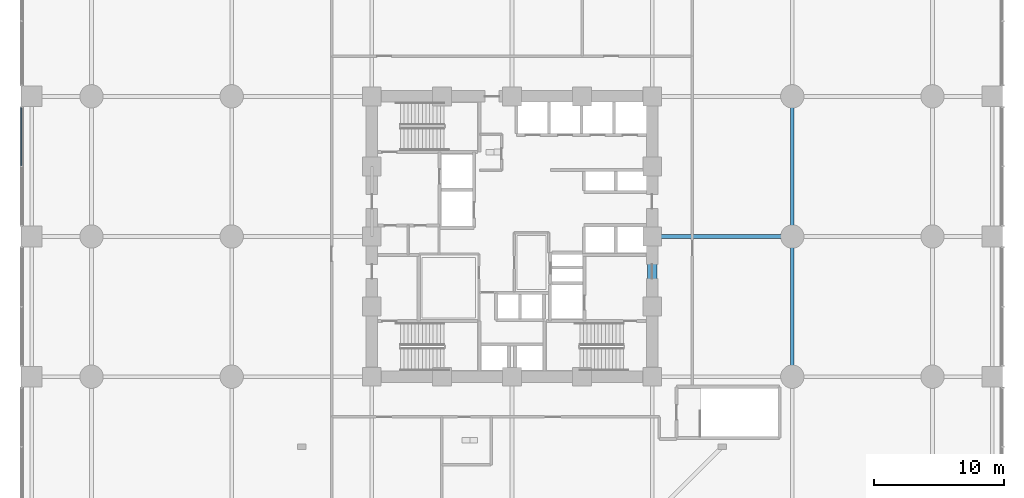
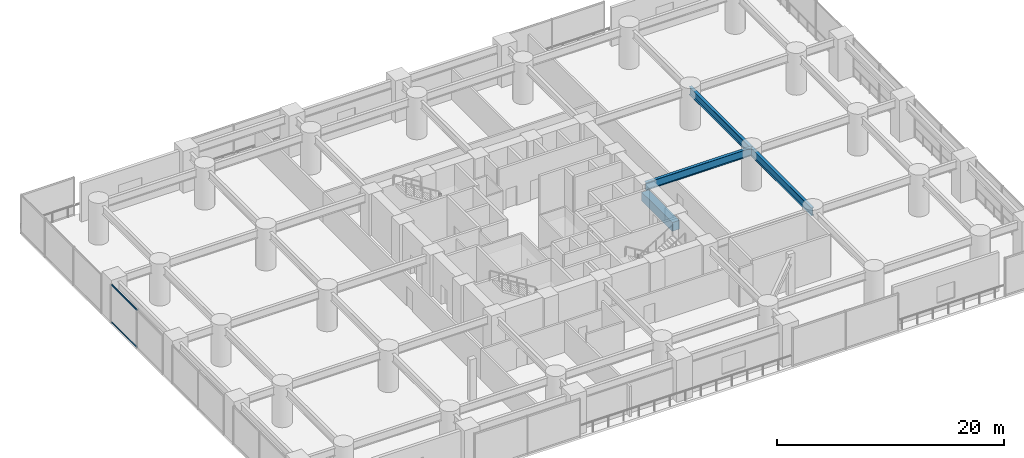
# One storey, part 10 of 35: 4 beams, 2 members, 1 element without a shape of its own.
"""IFC4 building model written with IfcOpenShell, lengths in metres."""

import ifcopenshell
import ifcopenshell.guid

model = None  # the IFC model being written
_history = None  # IfcOwnerHistory: only IFC2X3 demands one
_inside = {}  # id of a spatial element -> (the spatial element, [elements in it])
_under = {}  # id of a project, library or spatial element -> (it, [spatial elements below it])
_declared = {}  # id of a project -> (the project, [libraries it declares])
_typed = {}  # id of a type object -> (the type object, [elements of that type])
_made_of = {}  # id of a material, layer set ... -> (it, [elements and type objects made of it])


def new_model(schema):
    """Start an empty IFC model of exactly this schema.

    Asked for "IFC4X3", IfcOpenShell would pick the latest addendum, in which some entities
    have other attributes; the version numbers below select the first issue.
    IFC2X3 requires an IfcOwnerHistory on every rooted entity: one is made here for all.
    """
    global model, _history
    if schema == "IFC4X3":
        model = ifcopenshell.file(schema_version=(4, 3, 0, 0))
    else:
        model = ifcopenshell.file(schema=schema)
    _inside.clear()
    _under.clear()
    _declared.clear()
    _typed.clear()
    _made_of.clear()
    _history = None
    if model.schema == "IFC2X3":
        org = make("IfcOrganization", Name="unknown")
        user = make(
            "IfcPersonAndOrganization",
            ThePerson=make("IfcPerson", FamilyName="unknown"),
            TheOrganization=org,
        )
        app = make(
            "IfcApplication",
            ApplicationDeveloper=org,
            Version="unknown",
            ApplicationFullName="unknown",
            ApplicationIdentifier="unknown",
        )
        _history = make(
            "IfcOwnerHistory",
            OwningUser=user,
            OwningApplication=app,
            ChangeAction="ADDED",
            CreationDate=0,
        )
    return model


def make(cls, **values):
    """One entity of the class cls with the attributes given. An attribute that is None is left unset."""
    return model.create_entity(
        cls, **{name: value for name, value in values.items() if value is not None}
    )


def rooted(cls, **values):
    """An entity with a GlobalId (a new one), such as an element, a storey or a relation."""
    return make(cls, GlobalId=ifcopenshell.guid.new(), OwnerHistory=_history, **values)


def si_unit(unit_type, name, prefix=None):
    """IfcSIUnit, for example si_unit("LENGTHUNIT", "METRE", prefix="MILLI")."""
    return make("IfcSIUnit", UnitType=unit_type, Prefix=prefix, Name=name)


def assignment(units):
    """IfcUnitAssignment: the units of a project."""
    return None if units is None else make("IfcUnitAssignment", Units=units)


def point(xyz):
    """IfcCartesianPoint."""
    return None if xyz is None else make("IfcCartesianPoint", Coordinates=xyz)


def direction(xyz):
    """IfcDirection."""
    return None if xyz is None else make("IfcDirection", DirectionRatios=xyz)


def frame(location, z_axis=None, x_axis=None):
    """IfcAxis2Placement3D, a coordinate frame: its origin and axes. An axis left out is left unset."""
    return make(
        "IfcAxis2Placement3D",
        Location=point(location),
        Axis=direction(z_axis),
        RefDirection=direction(x_axis),
    )


def frame_2d(location, x_axis=None):
    """IfcAxis2Placement2D, a coordinate frame in the plane: its origin and x axis."""
    return make(
        "IfcAxis2Placement2D", Location=point(location), RefDirection=direction(x_axis)
    )


def origin():
    """The frame at (0, 0, 0) with its axes left unset."""
    return frame((0.0, 0.0, 0.0))


def origin_2d():
    """The frame at (0, 0) in the plane with its x axis left unset."""
    return frame_2d((0.0, 0.0))


def place(relative_to, where):
    """IfcLocalPlacement: puts the frame where relative to a parent placement (None: the world)."""
    return make(
        "IfcLocalPlacement", PlacementRelTo=relative_to, RelativePlacement=where
    )


def context(
    kind, dimensions, precision=None, world=None, true_north=None, identifier=None
):
    """IfcGeometricRepresentationContext, for example the 3D "Model" context."""
    return make(
        "IfcGeometricRepresentationContext",
        ContextIdentifier=identifier,
        ContextType=kind,
        CoordinateSpaceDimension=dimensions,
        Precision=precision,
        WorldCoordinateSystem=world,
        TrueNorth=true_north,
    )


def subcontext(parent, identifier, kind, view, scale=None):
    """IfcGeometricRepresentationSubContext, for example "Body" below "Model"."""
    return make(
        "IfcGeometricRepresentationSubContext",
        ContextIdentifier=identifier,
        ContextType=kind,
        ParentContext=parent,
        TargetScale=scale,
        TargetView=view,
    )


def project(units=None, contexts=None):
    """IfcProject with its units and contexts."""
    return rooted(
        "IfcProject",
        Name="project",
        RepresentationContexts=contexts,
        UnitsInContext=assignment(units),
    )


def spatial(cls, under=None, at=None, **own):
    """A site, building, storey or space (cls), placed at a placement, below another one or the project."""
    s = rooted(cls, ObjectPlacement=at, **own)
    if under is not None:
        _under.setdefault(under.id(), (under, []))[1].append(s)
    return s


def profile(cls, at=None, kind="AREA", **sizes):
    """A parametric profile (cls). Its sizes go by their IFC names, for example OverallWidth=200.0."""
    return make(cls, ProfileType=kind, Position=at, **sizes)


def rectangle(**sizes):
    """IfcRectangleProfileDef."""
    return profile("IfcRectangleProfileDef", **sizes)


def hollow_rectangle(**sizes):
    """IfcRectangleHollowProfileDef."""
    return profile("IfcRectangleHollowProfileDef", **sizes)


def i_section(**sizes):
    """IfcIShapeProfileDef."""
    return profile("IfcIShapeProfileDef", **sizes)


def extrude(swept, where, along, depth):
    """IfcExtrudedAreaSolid: the profile swept, set in the frame where, extruded along a direction by depth."""
    return make(
        "IfcExtrudedAreaSolid",
        SweptArea=swept,
        Position=where,
        ExtrudedDirection=direction(along),
        Depth=depth,
    )


def shape(context_of_items, identifier, shape_type, items):
    """IfcShapeRepresentation: the items that make up one representation, for example the "Body"."""
    return make(
        "IfcShapeRepresentation",
        ContextOfItems=context_of_items,
        RepresentationIdentifier=identifier,
        RepresentationType=shape_type,
        Items=items,
    )


def material(Name=None, Category=None):
    """IfcMaterial."""
    return make("IfcMaterial", Name=Name, Category=Category)


def layer(
    of_material, thickness, ventilated=None, Name=None, Category=None, Priority=None
):
    """IfcMaterialLayer: one layer of a wall or slab, of a material (None: an air gap)."""
    return make(
        "IfcMaterialLayer",
        Material=of_material,
        LayerThickness=thickness,
        IsVentilated=ventilated,
        Name=Name,
        Category=Category,
        Priority=Priority,
    )


def layer_set(layers, Name=None):
    """IfcMaterialLayerSet."""
    return make("IfcMaterialLayerSet", MaterialLayers=layers, LayerSetName=Name)


def material_profile(
    of_material, cross_section, Name=None, Category=None, Priority=None
):
    """IfcMaterialProfile: a cross section and its material."""
    return make(
        "IfcMaterialProfile",
        Name=Name,
        Material=of_material,
        Profile=cross_section,
        Priority=Priority,
        Category=Category,
    )


def profile_set(profiles, Name=None, composite=None):
    """IfcMaterialProfileSet."""
    return make(
        "IfcMaterialProfileSet",
        Name=Name,
        MaterialProfiles=profiles,
        CompositeProfile=composite,
    )


def made_of(thing, what):
    """Note that an element or type object is made of a material, layer set ...; save() writes the relation."""
    if what is not None:
        _made_of.setdefault(what.id(), (what, []))[1].append(thing)
    return thing


def type_object(cls, material=None, **own):
    """A type object (cls), such as IfcWallType, which elements share."""
    return made_of(rooted(cls, **own), material)


def element(
    cls,
    number,
    at=None,
    inside=None,
    cuts=None,
    type_object=None,
    material=None,
    context=None,
    identifier="Body",
    shape_type=None,
    held_by="IfcProductDefinitionShape",
    body=None,
    shapes=None,
    **own,
):
    """One element of the class cls, such as IfcWall. Its Tag is "e" and its number.

    at: its placement. inside: the storey or other place that contains it. cuts: it is an
    opening in that element (IfcRelVoidsElement). A single representation is given by context,
    identifier, shape_type and body (its items); several are given by shapes. held_by: the class
    of the entity that holds the representations. save() writes the other relations.
    """
    e = rooted(cls, Tag="e%d" % number, ObjectPlacement=at, **own)
    if body is not None:
        shapes = [shape(context, identifier, shape_type, body)]
    if shapes is not None:
        e.Representation = make(held_by, Representations=shapes)
    if inside is not None:
        _inside.setdefault(inside.id(), (inside, []))[1].append(e)
    if cuts is not None:
        rooted(
            "IfcRelVoidsElement", RelatingBuildingElement=cuts, RelatedOpeningElement=e
        )
    if type_object is not None:
        _typed.setdefault(type_object.id(), (type_object, []))[1].append(e)
    return made_of(e, material)


def aggregate(whole, parts):
    """IfcRelAggregates: a whole, such as a stair, and the parts it consists of."""
    return rooted("IfcRelAggregates", RelatingObject=whole, RelatedObjects=parts)


def save(model, path):
    """Write the relations noted so far, then the file.

    IfcRelAggregates (storeys below a building ...), IfcRelContainedInSpatialStructure (elements
    in a storey), IfcRelDefinesByType, IfcRelAssociatesMaterial and IfcRelDeclares: one each for
    every whole, place, type object, material and project.
    """
    for whole, parts in _under.values():
        aggregate(whole, parts)
    for where, things in _inside.values():
        rooted(
            "IfcRelContainedInSpatialStructure",
            RelatedElements=things,
            RelatingStructure=where,
        )
    for kind, things in _typed.values():
        rooted("IfcRelDefinesByType", RelatedObjects=things, RelatingType=kind)
    for what, things in _made_of.values():
        rooted("IfcRelAssociatesMaterial", RelatedObjects=things, RelatingMaterial=what)
    for by, libraries in _declared.values():
        rooted("IfcRelDeclares", RelatingContext=by, RelatedDefinitions=libraries)
    model.write(path)


model = new_model("IFC4")

# Units and contexts
model_context = context("Model", 3, precision=1e-05, world=origin(), true_north=direction((0.0, 1.0)))
body_context = subcontext(model_context, "Body", "Model", "MODEL_VIEW")
ifc_project = project(units=[si_unit("LENGTHUNIT", "METRE"), si_unit("AREAUNIT", "SQUARE_METRE"), si_unit("VOLUMEUNIT", "CUBIC_METRE"), si_unit("PLANEANGLEUNIT", "RADIAN"), si_unit("MASSUNIT", "GRAM", prefix="KILO")], contexts=[model_context])

# Site, building, storey
site_placement = place(None, origin())
site = spatial("IfcSite", under=ifc_project, at=site_placement, CompositionType="ELEMENT")
building_placement = place(site_placement, origin())
building = spatial("IfcBuilding", under=site, at=building_placement, Name="Surkhivell Harbour Commons", CompositionType="ELEMENT")
storey_placement = place(building_placement, frame((0.0, 0.0, 13.5)))
storey = spatial("IfcBuildingStorey", under=building, at=storey_placement, Name="L03", CompositionType="ELEMENT", Elevation=13.5)

# Beams
ifc_material_1 = material(Name="Concrete C60/75", Category="concrete")
ifc_material_profile_1 = material_profile(ifc_material_1, rectangle(XDim=0.75, YDim=0.949951171875, at=origin_2d()), Name="RC-CBM-750x950")
ifc_profile_set_1 = profile_set([ifc_material_profile_1], Name="Concrete C60/75")
beam_type_1 = type_object("IfcBeamType", Name="BM-CPL-RC950", PredefinedType="BEAM", material=ifc_profile_set_1)
beam_placement = place(storey_placement, frame((10.800048828125, -5.39990234375, 2.699951171875), z_axis=(0.0, 1.0, 0.0), x_axis=(-1.0, 0.0, 0.0)))
element("IfcBeam", 1, at=beam_placement, inside=storey, type_object=beam_type_1, Name="L03 Core Coupling Beam CB-1", PredefinedType="BEAM", context=body_context, shape_type="SweptSolid", body=[
    extrude(rectangle(XDim=0.75, YDim=0.949951171875, at=origin_2d()), origin(), (0.0, 0.0, 1.0), 5.39990234375),
])
ifc_material_2 = material(Name="Steel S460", Category="steel")
ifc_material_profile_2 = material_profile(ifc_material_2, i_section(OverallWidth=0.2939453125, OverallDepth=0.85107421875, WebThickness=0.01611328125, FlangeThickness=0.02685546875, at=origin_2d()), Name="UB838x292x226")
ifc_profile_set_2 = profile_set([ifc_material_profile_2], Name="Steel S460")
beam_type_2 = type_object("IfcBeamType", Name="BM-SPN-838", PredefinedType="SPANDREL", material=ifc_profile_set_2)
for number, where, z_axis, x_axis, name in (
    (2, (10.800048828125, 0.0, 3.724609375), (1.0, 0.0, 0.0), (0.0, 1.0, 0.0), "L03 Framing Beam (10.8,0.0)"),
    (3, (21.60009765625, -10.800048828125, 3.724609375), (0.0, 1.0, 0.0), (-1.0, 0.0, 0.0), "L03 Framing Beam (21.6,-10.8)"),
    (4, (21.60009765625, 0.0, 3.724609375), (0.0, 1.0, 0.0), (-1.0, 0.0, 0.0), "L03 Framing Beam (21.6,0.0)"),
):
    element("IfcBeam", number, at=place(storey_placement, frame(where, z_axis=z_axis, x_axis=x_axis)), inside=storey, type_object=beam_type_2, Name=name, PredefinedType="SPANDREL", context=body_context, shape_type="SweptSolid", body=[
        extrude(i_section(OverallWidth=0.2939453125, OverallDepth=0.85107421875, WebThickness=0.01611328125, FlangeThickness=0.02685546875, at=origin_2d()), origin(), (0.0, 0.0, 1.0), 10.800048828125),
    ])

# Curtain wall, members
ifc_material_3 = material(Name="Anodised pale-metal aluminium and insulated glazing", Category="aluminium")
ifc_layer = layer(ifc_material_3, 0.239990234375)
ifc_layer_set = layer_set([ifc_layer], Name="Anodised pale-metal aluminium and insulated glazing")
curtain_wall_type = type_object("IfcCurtainWallType", Name="CW-SYS-POD", PredefinedType="NOTDEFINED", material=ifc_layer_set)
curtain_wall_placement = place(storey_placement, origin())
curtain_wall = element("IfcCurtainWall", 5, at=curtain_wall_placement, inside=storey, type_object=curtain_wall_type, Name="L03 Curtain Wall CW-L03-W4", PredefinedType="NOTDEFINED")
ifc_material_4 = material(Name="Anodised pale-metal aluminium alloy 6063-T6", Category="aluminium")
ifc_material_profile_3 = material_profile(ifc_material_4, hollow_rectangle(XDim=0.074951171875, YDim=0.14990234375, WallThickness=0.00341796875, at=origin_2d()), Name="ALU-TRAN-75x150")
ifc_profile_set_3 = profile_set([ifc_material_profile_3], Name="Anodised pale-metal aluminium alloy 6063-T6")
member_type = type_object("IfcMemberType", Name="CWT-150", PredefinedType="USERDEFINED", material=ifc_profile_set_3)
member_1_placement = place(storey_placement, frame((-37.800048828125, 5.4375, 0.074951171875), z_axis=(0.0, 1.0, 0.0), x_axis=(-1.0, 0.0, 0.0)))
member_1 = element("IfcMember", 6, at=member_1_placement, type_object=member_type, Name="CW-POD transom 2.1", ObjectType="TRANSOM", PredefinedType="USERDEFINED", context=body_context, shape_type="SweptSolid", body=[
    extrude(hollow_rectangle(XDim=0.074951171875, YDim=0.14990234375, WallThickness=0.00341796875, at=origin_2d()), origin(), (0.0, 0.0, 1.0), 4.485595703125),
])
member_2_placement = place(storey_placement, frame((-37.800048828125, 5.4375, 4.074951171875), z_axis=(0.0, 1.0, 0.0), x_axis=(-1.0, 0.0, 0.0)))
member_2 = element("IfcMember", 7, at=member_2_placement, type_object=member_type, Name="CW-POD transom 2.2", ObjectType="TRANSOM", PredefinedType="USERDEFINED", context=body_context, shape_type="SweptSolid", body=[
    extrude(hollow_rectangle(XDim=0.074951171875, YDim=0.14990234375, WallThickness=0.00341796875, at=origin_2d()), origin(), (0.0, 0.0, 1.0), 4.485595703125),
])
aggregate(curtain_wall, [member_1, member_2])

save(model, "model.ifc")
